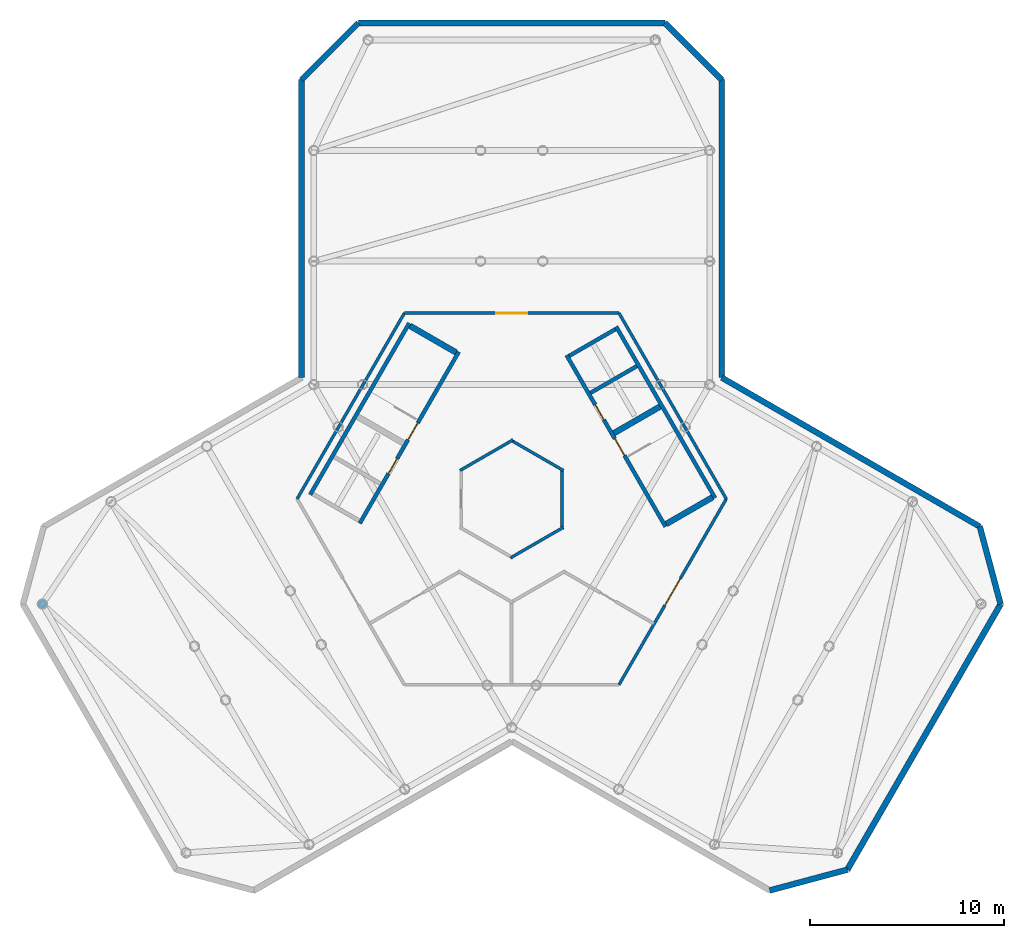
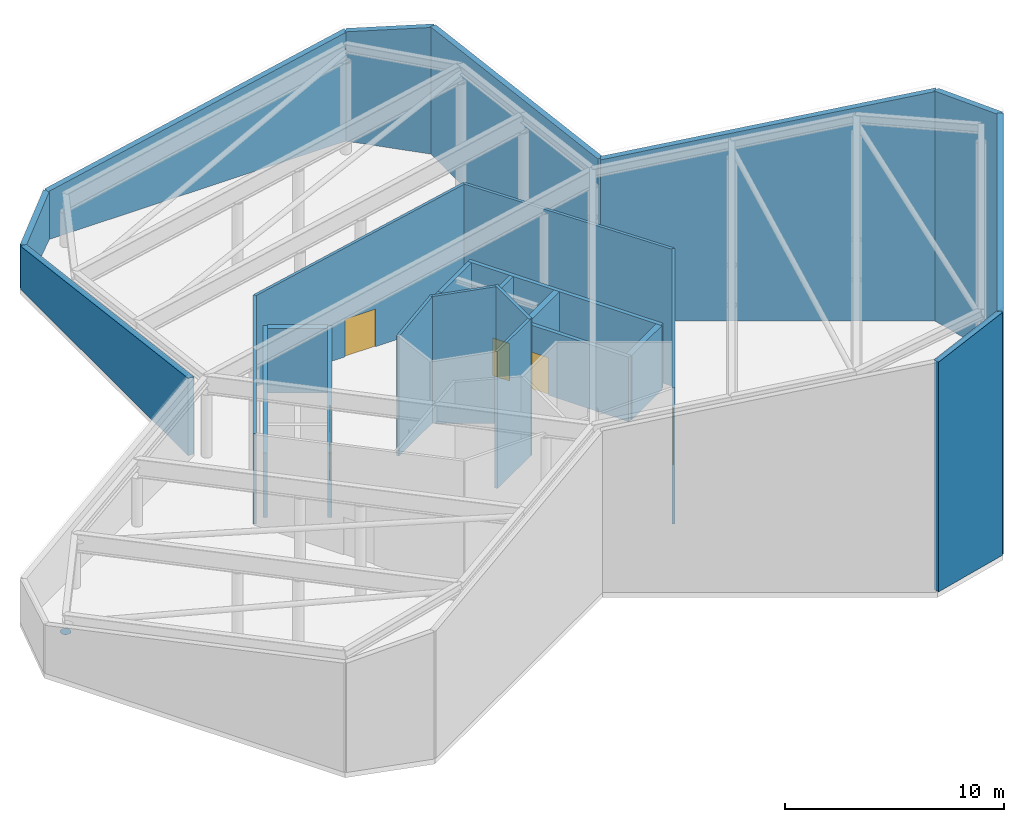
# One storey, part 3 of 5: 26 walls, 6 doors, 1 discrete accessory, 6 openings.
"""IFC4 building model written with IfcOpenShell, lengths in metres."""

from ifc_helpers import new_model, si_unit, direction, frame, frame_2d, origin, origin_2d, place, context, subcontext, project, spatial, polyline, rectangle, circle, outline, extrude, material, layer, layer_set, material_profile, profile_set, type_object, element, fill, save


model = new_model("IFC4")

# Units and contexts
model_context = context("Model", 3, precision=1e-05, world=origin(), true_north=direction((0.0, 1.0)))
body_context = subcontext(model_context, "Body", "Model", "MODEL_VIEW")
ifc_project = project(units=[si_unit("LENGTHUNIT", "METRE"), si_unit("AREAUNIT", "SQUARE_METRE"), si_unit("VOLUMEUNIT", "CUBIC_METRE"), si_unit("PLANEANGLEUNIT", "RADIAN"), si_unit("MASSUNIT", "GRAM", prefix="KILO")], contexts=[model_context])

# Site, building, storey
site_placement = place(None, origin())
site = spatial("IfcSite", under=ifc_project, at=site_placement, CompositionType="ELEMENT")
building_placement = place(site_placement, origin())
building = spatial("IfcBuilding", under=site, at=building_placement, Name="Kosmar Iwan School Tower", CompositionType="ELEMENT")
storey_placement = place(building_placement, frame((0.0, 0.0, 301.0)))
storey = spatial("IfcBuildingStorey", under=building, at=storey_placement, Name="RF", CompositionType="ELEMENT", Elevation=301.0)

# Wall
ifc_material_1 = material(Name="Gypsum board on steel studs, fire-rated", Category="steel")
ifc_layer_1 = layer(ifc_material_1, 0.14990234375)
ifc_layer_set_1 = layer_set([ifc_layer_1], Name="Core room partition 150")
wall_type_1 = type_object("IfcWallType", Name="Core room partition 150", PredefinedType="PARTITIONING", material=ifc_layer_set_1)
wall_1_placement = place(storey_placement, frame((11.05615234375, 0.0, 0.0), z_axis=(0.0, 0.0, 1.0), x_axis=(-0.49999834043, 0.866026361936, 0.0)))
element("IfcWall", 1, at=wall_1_placement, inside=storey, type_object=wall_type_1, Name="Core room partition RF-CP1", PredefinedType="PARTITIONING", context=body_context, shape_type="SweptSolid", body=[
    extrude(outline(polyline([(0.0, 0.0), (11.05615234375, 0.0), (11.05615234375, 7.443359375), (0.0, 7.64990234375), (0.0, 0.0)])), frame((0.0, 0.074951171875, 0.0), z_axis=(0.0, -1.0, 0.0), x_axis=(1.0, 0.0, 0.0)), (0.0, 0.0, 1.0), 0.14990234375),
])

# Wall, opening, door
wall_2_placement = place(storey_placement, frame((5.528076171875, 9.574951171875, 0.0), z_axis=(0.0, 0.0, 1.0), x_axis=(-1.0, 0.0, 0.0)))
wall_2 = element("IfcWall", 2, at=wall_2_placement, inside=storey, type_object=wall_type_1, Name="Core room partition RF-CP2", PredefinedType="PARTITIONING", context=body_context, shape_type="SweptSolid", body=[
    extrude(outline(polyline([(0.0, 0.0), (11.05615234375, 0.0), (11.05615234375, 5.05615234375), (0.0, 7.443359375), (0.0, 0.0)])), frame((0.0, 0.074951171875, 0.0), z_axis=(0.0, -1.0, 0.0), x_axis=(1.0, 0.0, 0.0)), (0.0, 0.0, 1.0), 0.14990234375),
])
opening_1_placement = place(wall_2_placement, frame((4.72802734375, 0.0, 0.0)))
opening_1 = element("IfcOpeningElement", 3, at=opening_1_placement, cuts=wall_2, Name="Opening D17", PredefinedType="OPENING", context=body_context, shape_type="SweptSolid", body=[
    extrude(rectangle(XDim=1.60009765625, YDim=2.10009765625, at=frame_2d((0.800048828125, 1.050048828125))), frame((0.0, 0.0869140625, 0.0), z_axis=(0.0, -1.0, 0.0), x_axis=(1.0, 0.0, 0.0)), (0.0, 0.0, 1.0), 0.173828125),
])
ifc_material_2 = material(Name="Steel fire door", Category="steel")
door_type_1 = type_object("IfcDoorType", Name="Crown plant room door pair 1600x2100", OperationType="DOUBLE_DOOR_SINGLE_SWING", PredefinedType="DOOR", material=ifc_material_2)
door_1_placement = place(opening_1_placement, origin())
door_1 = element("IfcDoor", 4, at=door_1_placement, inside=storey, type_object=door_type_1, Name="Crown plant room doors 2", OperationType="DOUBLE_DOOR_SINGLE_SWING", OverallHeight=2.10009765625, OverallWidth=1.60009765625, PredefinedType="DOOR", context=body_context, shape_type="SweptSolid", body=[
    extrude(rectangle(XDim=1.60009765625, YDim=2.10009765625, at=frame_2d((0.800048828125, 1.050048828125))), frame((0.0, 0.02490234375, 0.0), z_axis=(0.0, -1.0, 0.0), x_axis=(1.0, 0.0, 0.0)), (0.0, 0.0, 1.0), 0.050048828125),
])
fill(opening_1, door_1)

# Wall
wall_3_placement = place(storey_placement, frame((-5.528076171875, 9.574951171875, 0.0), z_axis=(0.0, 0.0, 1.0), x_axis=(-0.49999834043, -0.866026361936, 0.0)))
element("IfcWall", 5, at=wall_3_placement, inside=storey, type_object=wall_type_1, Name="Core room partition RF-CP3", PredefinedType="PARTITIONING", context=body_context, shape_type="SweptSolid", body=[
    extrude(rectangle(XDim=11.05615234375, YDim=0.14990234375, at=frame_2d((5.528076171875, 0.0))), origin(), (0.0, 0.0, 1.0), 5.05615234375),
])

# Wall, opening, door
wall_4_placement = place(storey_placement, frame((5.528076171875, -9.574951171875, 0.0), z_axis=(0.0, 0.0, 1.0), x_axis=(0.49999834043, 0.866026361936, 0.0)))
wall_4 = element("IfcWall", 6, at=wall_4_placement, inside=storey, type_object=wall_type_1, Name="Core room partition RF-CP6", PredefinedType="PARTITIONING", context=body_context, shape_type="SweptSolid", body=[
    extrude(rectangle(XDim=11.05615234375, YDim=0.14990234375, at=frame_2d((5.528076171875, 0.0))), origin(), (0.0, 0.0, 1.0), 7.64990234375),
])
opening_2_placement = place(wall_4_placement, frame((4.72802734375, 0.0, 0.0)))
opening_2 = element("IfcOpeningElement", 7, at=opening_2_placement, cuts=wall_4, Name="Opening D17", PredefinedType="OPENING", context=body_context, shape_type="SweptSolid", body=[
    extrude(rectangle(XDim=1.60009765625, YDim=2.10009765625, at=frame_2d((0.800048828125, 1.050048828125))), frame((0.0, 0.0869140625, 0.0), z_axis=(0.0, -1.0, 0.0), x_axis=(1.0, 0.0, 0.0)), (0.0, 0.0, 1.0), 0.173828125),
])
door_2_placement = place(opening_2_placement, origin())
door_2 = element("IfcDoor", 8, at=door_2_placement, inside=storey, type_object=door_type_1, Name="Crown plant room doors 6", OperationType="DOUBLE_DOOR_SINGLE_SWING", OverallHeight=2.10009765625, OverallWidth=1.60009765625, PredefinedType="DOOR", context=body_context, shape_type="SweptSolid", body=[
    extrude(rectangle(XDim=1.60009765625, YDim=2.10009765625, at=frame_2d((0.800048828125, 1.050048828125))), frame((0.0, 0.02490234375, 0.0), z_axis=(0.0, -1.0, 0.0), x_axis=(1.0, 0.0, 0.0)), (0.0, 0.0, 1.0), 0.050048828125),
])
fill(opening_2, door_2)

# Walls
wall_5_placement = place(storey_placement, frame((2.6650390625, -1.463623046875, 0.0), z_axis=(0.0, 0.0, 1.0), x_axis=(-0.866023080072, -0.500004024767, 0.0)))
element("IfcWall", 9, at=wall_5_placement, inside=storey, type_object=wall_type_1, Name="Core room partition RF-CW6", PredefinedType="PARTITIONING", context=body_context, shape_type="SweptSolid", body=[
    extrude(rectangle(XDim=3.15234375, YDim=0.14990234375, at=frame_2d((1.576171875, 0.0))), origin(), (0.0, 0.0, 1.0), 7.64990234375),
])
wall_6_placement = place(storey_placement, frame((-2.6650390625, 1.463623046875, 0.0), z_axis=(0.0, 0.0, 1.0), x_axis=(0.866023080072, 0.500004024767, 0.0)))
element("IfcWall", 10, at=wall_6_placement, inside=storey, type_object=wall_type_1, Name="Core room partition RF-CW9", PredefinedType="PARTITIONING", context=body_context, shape_type="SweptSolid", body=[
    extrude(outline(polyline([(0.0, 0.0), (3.15234375, 0.0), (3.152099609375, 7.078369140625), (0.0, 6.685546875), (0.0, 0.0)])), frame((0.0, 0.074951171875, 0.0), z_axis=(0.0, -1.0, 0.0), x_axis=(1.0, 0.0, 0.0)), (0.0, 0.0, 1.0), 0.14990234375),
])
wall_7_placement = place(storey_placement, frame((-0.06494140625, 3.039794921875, 0.0), z_axis=(0.0, 0.0, 1.0), x_axis=(0.866023080072, -0.500004024767, 0.0)))
element("IfcWall", 11, at=wall_7_placement, inside=storey, type_object=wall_type_1, Name="Core room partition RF-CW10", PredefinedType="PARTITIONING", context=body_context, shape_type="SweptSolid", body=[
    extrude(outline(polyline([(0.0, 0.0), (3.15234375, 0.0), (3.152099609375, 7.64990234375), (0.0, 7.05029296875), (0.0, 0.0)])), frame((0.0, 0.074951171875, 0.0), z_axis=(0.0, -1.0, 0.0), x_axis=(1.0, 0.0, 0.0)), (0.0, 0.0, 1.0), 0.14990234375),
])
wall_8_placement = place(storey_placement, frame((2.60009765625, 1.576171875, 0.0), z_axis=(0.0, 0.0, 1.0), x_axis=(0.0, -1.0, 0.0)))
element("IfcWall", 12, at=wall_8_placement, inside=storey, type_object=wall_type_1, Name="Core room partition RF-CW11", PredefinedType="PARTITIONING", context=body_context, shape_type="SweptSolid", body=[
    extrude(rectangle(XDim=3.15234375, YDim=0.14990234375, at=frame_2d((1.576171875, 0.0))), origin(), (0.0, 0.0, 1.0), 7.64990234375),
])
ifc_material_3 = material(Name="Black aluminium rainscreen on insulated framing", Category="aluminium")
ifc_layer_2 = layer(ifc_material_3, 0.300048828125)
ifc_layer_set_2 = layer_set([ifc_layer_2], Name="Crown wall 300")
wall_type_2 = type_object("IfcWallType", Name="Crown wall 300", PredefinedType="SOLIDWALL", material=ifc_layer_set_2)
wall_9_placement = place(storey_placement, frame((13.2919921875, -20.173828125, 0.0), z_axis=(0.0, 0.0, 1.0), x_axis=(0.965924882171, 0.258822568574, 0.0)))
element("IfcWall", 13, at=wall_9_placement, inside=storey, type_object=wall_type_2, Name="Crown wall 3", PredefinedType="SOLIDWALL", context=body_context, shape_type="SweptSolid", body=[
    extrude(outline(polyline([(0.0, 0.0), (4.13916015625, 0.0), (4.13916015625, 13.55810546875), (0.0, 12.828369140625), (0.0, 0.0)])), frame((0.0, 0.14990234375, 0.0), z_axis=(0.0, -1.0, 0.0), x_axis=(1.0, 0.0, 0.0)), (0.0, 0.0, 1.0), 0.300048828125),
])
wall_10_placement = place(storey_placement, frame((17.2900390625, -19.1025390625, 0.0), z_axis=(0.0, 0.0, 1.0), x_axis=(0.500008751707, 0.866020350925, 0.0)))
element("IfcWall", 14, at=wall_10_placement, inside=storey, type_object=wall_type_2, Name="Crown wall 4", PredefinedType="SOLIDWALL", context=body_context, shape_type="SweptSolid", body=[
    extrude(outline(polyline([(0.0, 0.0), (15.796630859375, 0.0), (15.79638671875, 13.55810546875), (0.0, 13.55810546875), (0.0, 0.0)])), frame((0.0, 0.14990234375, 0.0), z_axis=(0.0, -1.0, 0.0), x_axis=(1.0, 0.0, 0.0)), (0.0, 0.0, 1.0), 0.300048828125),
])
wall_11_placement = place(storey_placement, frame((25.1884765625, -5.42236328125, 0.0), z_axis=(0.0, 0.0, 1.0), x_axis=(-0.258822568574, 0.965924882171, 0.0)))
element("IfcWall", 15, at=wall_11_placement, inside=storey, type_object=wall_type_2, Name="Crown wall 5", PredefinedType="SOLIDWALL", context=body_context, shape_type="SweptSolid", body=[
    extrude(outline(polyline([(0.0, 0.0), (4.13916015625, 0.0), (4.13916015625, 12.828369140625), (0.0, 13.55810546875), (0.0, 0.0)])), frame((0.0, 0.14990234375, 0.0), z_axis=(0.0, -1.0, 0.0), x_axis=(1.0, 0.0, 0.0)), (0.0, 0.0, 1.0), 0.300048828125),
])
wall_12_placement = place(storey_placement, frame((24.1171875, -1.42431640625, 0.0), z_axis=(0.0, 0.0, 1.0), x_axis=(-0.866031157779, 0.499990033657, 0.0)))
element("IfcWall", 16, at=wall_12_placement, inside=storey, type_object=wall_type_2, Name="Crown wall 6", PredefinedType="SOLIDWALL", context=body_context, shape_type="SweptSolid", body=[
    extrude(outline(polyline([(0.0, 0.0), (15.348388671875, 0.0), (15.348388671875, 9.001708984375), (0.0, 12.828369140625), (0.0, 0.0)])), frame((0.0, 0.14990234375, 0.0), z_axis=(0.0, -1.0, 0.0), x_axis=(1.0, 0.0, 0.0)), (0.0, 0.0, 1.0), 0.300048828125),
])
wall_13_placement = place(storey_placement, frame((10.824951171875, 6.249755859375, 0.0), z_axis=(0.0, 0.0, 1.0), x_axis=(0.0, 1.0, 0.0)))
element("IfcWall", 17, at=wall_13_placement, inside=storey, type_object=wall_type_2, Name="Crown wall 7", PredefinedType="SOLIDWALL", context=body_context, shape_type="SweptSolid", body=[
    extrude(outline(polyline([(0.0, 0.0), (15.348388671875, 0.0), (15.348388671875, 7.088134765625), (0.0, 9.001708984375), (0.0, 0.0)])), frame((0.0, 0.14990234375, 0.0), z_axis=(0.0, -1.0, 0.0), x_axis=(1.0, 0.0, 0.0)), (0.0, 0.0, 1.0), 0.300048828125),
])
wall_14_placement = place(storey_placement, frame((10.824951171875, 21.59814453125, 0.0), z_axis=(0.0, 0.0, 1.0), x_axis=(-0.707106781187, 0.707106781187, 0.0)))
element("IfcWall", 18, at=wall_14_placement, inside=storey, type_object=wall_type_2, Name="Crown wall 8", PredefinedType="SOLIDWALL", context=body_context, shape_type="SweptSolid", body=[
    extrude(outline(polyline([(0.0, 0.0), (4.13916015625, 0.0), (4.13916015625, 6.09130859375), (0.0, 7.088134765625), (0.0, 0.0)])), frame((0.0, 0.14990234375, 0.0), z_axis=(0.0, -1.0, 0.0), x_axis=(1.0, 0.0, 0.0)), (0.0, 0.0, 1.0), 0.300048828125),
])
wall_15_placement = place(storey_placement, frame((7.898193359375, 24.52490234375, 0.0), z_axis=(0.0, 0.0, 1.0), x_axis=(-1.0, 0.0, 0.0)))
element("IfcWall", 19, at=wall_15_placement, inside=storey, type_object=wall_type_2, Name="Crown wall 9", PredefinedType="SOLIDWALL", context=body_context, shape_type="SweptSolid", body=[
    extrude(outline(polyline([(0.0, 0.0), (15.79638671875, 0.0), (15.79638671875, 2.6806640625), (0.0, 6.09130859375), (0.0, 0.0)])), frame((0.0, 0.14990234375, 0.0), z_axis=(0.0, -1.0, 0.0), x_axis=(1.0, 0.0, 0.0)), (0.0, 0.0, 1.0), 0.300048828125),
])
wall_16_placement = place(storey_placement, frame((-7.898193359375, 24.52490234375, 0.0), z_axis=(0.0, 0.0, 1.0), x_axis=(-0.707106781187, -0.707106781187, 0.0)))
element("IfcWall", 20, at=wall_16_placement, inside=storey, type_object=wall_type_2, Name="Crown wall 10", PredefinedType="SOLIDWALL", context=body_context, shape_type="SweptSolid", body=[
    extrude(outline(polyline([(0.0, 0.0), (4.13916015625, 0.0), (4.13916015625, 2.413330078125), (0.0, 2.6806640625), (0.0, 0.0)])), frame((0.0, 0.14990234375, 0.0), z_axis=(0.0, -1.0, 0.0), x_axis=(1.0, 0.0, 0.0)), (0.0, 0.0, 1.0), 0.300048828125),
])
wall_17_placement = place(storey_placement, frame((-10.824951171875, 21.59814453125, 0.0), z_axis=(0.0, 0.0, 1.0), x_axis=(0.0, -1.0, 0.0)))
element("IfcWall", 21, at=wall_17_placement, inside=storey, type_object=wall_type_2, Name="Crown wall 11", PredefinedType="SOLIDWALL", context=body_context, shape_type="SweptSolid", body=[
    extrude(outline(polyline([(0.0, 0.0), (15.348388671875, 0.0), (15.348388671875, 4.326904296875), (0.0, 2.413330078125), (0.0, 0.0)])), frame((0.0, 0.14990234375, 0.0), z_axis=(0.0, -1.0, 0.0), x_axis=(1.0, 0.0, 0.0)), (0.0, 0.0, 1.0), 0.300048828125),
])

# Wall, openings, doors
ifc_material_4 = material(Name="Concrete C50/60", Category="concrete")
ifc_layer_3 = layer(ifc_material_4, 0.199951171875)
ifc_layer_set_3 = layer_set([ifc_layer_3], Name="Lift shaft wall 200")
wall_type_3 = type_object("IfcWallType", Name="Lift shaft wall 200", PredefinedType="SHEAR", material=ifc_layer_set_3)
wall_18_placement = place(storey_placement, frame((-2.72607421875, 7.578369140625, 0.0), z_axis=(0.0, 0.0, 1.0), x_axis=(-0.500005610874, -0.86602216432, 0.0)))
wall_18 = element("IfcWall", 22, at=wall_18_placement, inside=storey, type_object=wall_type_3, Name="Lift and stair front wall AB", PredefinedType="SHEAR", context=body_context, shape_type="SweptSolid", body=[
    extrude(rectangle(XDim=10.2001953125, YDim=0.199951171875, at=frame_2d((5.10009765625, 0.0))), origin(), (0.0, 0.0, 1.0), 3.60009765625),
])
opening_3_placement = place(wall_18_placement, frame((6.35009765625, 0.0, 0.0)))
opening_3 = element("IfcOpeningElement", 23, at=opening_3_placement, cuts=wall_18, Name="Opening LD2", PredefinedType="OPENING", context=body_context, shape_type="SweptSolid", body=[
    extrude(rectangle(XDim=0.89990234375, YDim=2.10009765625, at=frame_2d((0.449951171875, 1.050048828125))), frame((0.0, 0.112060546875, 0.0), z_axis=(0.0, -1.0, 0.0), x_axis=(1.0, 0.0, 0.0)), (0.0, 0.0, 1.0), 0.223876953125),
])
opening_4_placement = place(wall_18_placement, frame((4.22998046875, 0.0, 0.0)))
opening_4 = element("IfcOpeningElement", 24, at=opening_4_placement, cuts=wall_18, Name="Opening D6", PredefinedType="OPENING", context=body_context, shape_type="SweptSolid", body=[
    extrude(rectangle(XDim=1.0, YDim=2.10009765625, at=frame_2d((0.5, 1.050048828125))), frame((0.0, 0.112060546875, 0.0), z_axis=(0.0, -1.0, 0.0), x_axis=(1.0, 0.0, 0.0)), (0.0, 0.0, 1.0), 0.223876953125),
])
ifc_material_5 = material(Name="Stainless steel sliding lift door", Category="steel")
door_type_2 = type_object("IfcDoorType", Name="Firefighting lift landing door 900x2100", OperationType="SLIDING_TO_LEFT", PredefinedType="DOOR", material=ifc_material_5)
door_3_placement = place(opening_3_placement, origin())
door_3 = element("IfcDoor", 25, at=door_3_placement, inside=storey, type_object=door_type_2, Name="Lift FF2 landing door RF", OperationType="SLIDING_TO_LEFT", OverallHeight=2.10009765625, OverallWidth=0.89990234375, PredefinedType="DOOR", context=body_context, shape_type="SweptSolid", body=[
    extrude(rectangle(XDim=0.89990234375, YDim=2.10009765625, at=frame_2d((0.449951171875, 1.050048828125))), frame((0.0, 0.02490234375, 0.0), z_axis=(0.0, -1.0, 0.0), x_axis=(1.0, 0.0, 0.0)), (0.0, 0.0, 1.0), 0.050048828125),
])
fill(opening_3, door_3)
ifc_material_6 = material(Name="Steel fire door", Category="steel")
door_type_3 = type_object("IfcDoorType", Name="Stair door 1000x2100", OperationType="SINGLE_SWING_LEFT", PredefinedType="DOOR", material=ifc_material_6)
door_4_placement = place(opening_4_placement, origin())
door_4 = element("IfcDoor", 26, at=door_4_placement, inside=storey, type_object=door_type_3, Name="Stair ST2 door RF", OperationType="SINGLE_SWING_LEFT", OverallHeight=2.10009765625, OverallWidth=1.0, PredefinedType="DOOR", context=body_context, shape_type="SweptSolid", body=[
    extrude(rectangle(XDim=1.0, YDim=2.10009765625, at=frame_2d((0.5, 1.050048828125))), frame((0.0, 0.02490234375, 0.0), z_axis=(0.0, -1.0, 0.0), x_axis=(1.0, 0.0, 0.0)), (0.0, 0.0, 1.0), 0.050048828125),
])
fill(opening_4, door_4)

# Wall
wall_19_placement = place(storey_placement, frame((-5.28076171875, 9.05322265625, 0.0), z_axis=(0.0, 0.0, 1.0), x_axis=(-0.500015975362, -0.866016180209, 0.0)))
element("IfcWall", 27, at=wall_19_placement, inside=storey, type_object=wall_type_3, Name="Lift and stair back wall AB", PredefinedType="SHEAR", context=body_context, shape_type="SweptSolid", body=[
    extrude(rectangle(XDim=10.199951171875, YDim=0.199951171875, at=frame_2d((5.10009765625, 0.0))), origin(), (0.0, 0.0, 1.0), 3.60009765625),
])

# Wall, openings, doors
wall_20_placement = place(storey_placement, frame((7.926025390625, -1.42822265625, 0.0), z_axis=(0.0, 0.0, 1.0), x_axis=(-0.499998023675, 0.866026544813, 0.0)))
wall_20 = element("IfcWall", 28, at=wall_20_placement, inside=storey, type_object=wall_type_3, Name="Lift and stair front wall AC", PredefinedType="SHEAR", context=body_context, shape_type="SweptSolid", body=[
    extrude(rectangle(XDim=10.19970703125, YDim=0.199951171875, at=frame_2d((5.099853515625, 0.0))), origin(), (0.0, 0.0, 1.0), 3.60009765625),
])
opening_5_placement = place(wall_20_placement, frame((6.35009765625, 0.0, 0.0)))
opening_5 = element("IfcOpeningElement", 29, at=opening_5_placement, cuts=wall_20, Name="Opening LD2", PredefinedType="OPENING", context=body_context, shape_type="SweptSolid", body=[
    extrude(rectangle(XDim=0.89990234375, YDim=2.10009765625, at=frame_2d((0.449951171875, 1.050048828125))), frame((0.0, 0.112060546875, 0.0), z_axis=(0.0, -1.0, 0.0), x_axis=(1.0, 0.0, 0.0)), (0.0, 0.0, 1.0), 0.223876953125),
])
opening_6_placement = place(wall_20_placement, frame((4.22998046875, 0.0, 0.0)))
opening_6 = element("IfcOpeningElement", 30, at=opening_6_placement, cuts=wall_20, Name="Opening D6", PredefinedType="OPENING", context=body_context, shape_type="SweptSolid", body=[
    extrude(rectangle(XDim=1.0, YDim=2.10009765625, at=frame_2d((0.5, 1.050048828125))), frame((0.0, 0.112060546875, 0.0), z_axis=(0.0, -1.0, 0.0), x_axis=(1.0, 0.0, 0.0)), (0.0, 0.0, 1.0), 0.223876953125),
])
door_5_placement = place(opening_5_placement, origin())
door_5 = element("IfcDoor", 31, at=door_5_placement, inside=storey, type_object=door_type_2, Name="Lift FF1 landing door RF", OperationType="SLIDING_TO_LEFT", OverallHeight=2.10009765625, OverallWidth=0.89990234375, PredefinedType="DOOR", context=body_context, shape_type="SweptSolid", body=[
    extrude(rectangle(XDim=0.89990234375, YDim=2.10009765625, at=frame_2d((0.449951171875, 1.050048828125))), frame((0.0, 0.02490234375, 0.0), z_axis=(0.0, -1.0, 0.0), x_axis=(1.0, 0.0, 0.0)), (0.0, 0.0, 1.0), 0.050048828125),
])
fill(opening_5, door_5)
door_6_placement = place(opening_6_placement, origin())
door_6 = element("IfcDoor", 32, at=door_6_placement, inside=storey, type_object=door_type_3, Name="Stair ST1 door RF", OperationType="SINGLE_SWING_LEFT", OverallHeight=2.10009765625, OverallWidth=1.0, PredefinedType="DOOR", context=body_context, shape_type="SweptSolid", body=[
    extrude(rectangle(XDim=1.0, YDim=2.10009765625, at=frame_2d((0.5, 1.050048828125))), frame((0.0, 0.02490234375, 0.0), z_axis=(0.0, -1.0, 0.0), x_axis=(1.0, 0.0, 0.0)), (0.0, 0.0, 1.0), 0.050048828125),
])
fill(opening_6, door_6)

# Walls
wall_21_placement = place(storey_placement, frame((10.48095703125, 0.046630859375, 0.0), z_axis=(0.0, 0.0, 1.0), x_axis=(-0.500005610874, 0.86602216432, 0.0)))
element("IfcWall", 33, at=wall_21_placement, inside=storey, type_object=wall_type_3, Name="Lift and stair back wall AC", PredefinedType="SHEAR", context=body_context, shape_type="SweptSolid", body=[
    extrude(rectangle(XDim=10.2001953125, YDim=0.199951171875, at=frame_2d((5.10009765625, 0.0))), origin(), (0.0, 0.0, 1.0), 3.60009765625),
])
for number, where, z_axis, x_axis, name in (
    (34, (4.062744140625, 5.46337890625, 0.0), (0.0, 0.0, 1.0), (0.866027397988, 0.499996545922, 0.0), "Lift shaft wall AC 1"),
    (35, (2.962646484375, 7.368408203125, 0.0), (0.0, 0.0, 1.0), (0.866027397988, 0.499996545922, 0.0), "Lift shaft wall AC 2"),
):
    element("IfcWall", number, at=place(storey_placement, frame(where, z_axis=z_axis, x_axis=x_axis)), inside=storey, type_object=wall_type_3, Name=name, PredefinedType="SHEAR", context=body_context, shape_type="SweptSolid", body=[
        extrude(rectangle(XDim=2.75, YDim=0.199951171875, at=frame_2d((1.375, 0.0))), origin(), (0.0, 0.0, 1.0), 3.60009765625),
    ])
ifc_material_7 = material(Name="Concrete C50/60", Category="concrete")
ifc_layer_4 = layer(ifc_material_7, 0.300048828125)
ifc_layer_set_4 = layer_set([ifc_layer_4], Name="Stair head-house wall 300")
wall_type_4 = type_object("IfcWallType", Name="Stair head-house wall 300", PredefinedType="SHEAR", material=ifc_layer_set_4)
for number, where, z_axis, x_axis, name in (
    (36, (-2.862548828125, 7.541748046875, 0.0), (0.0, 0.0, 1.0), (-0.866027397988, 0.499996545922, 0.0), "Stair ST2 wall"),
    (37, (7.962646484375, -1.291748046875, 0.0), (0.0, 0.0, 1.0), (0.866027397988, 0.499996545922, 0.0), "Stair ST1 wall"),
    (38, (5.2626953125, 3.384765625, 0.0), (0.0, 0.0, 1.0), (0.866027397988, 0.499996545922, 0.0), "Stair ST1 wall"),
):
    element("IfcWall", number, at=place(storey_placement, frame(where, z_axis=z_axis, x_axis=x_axis)), inside=storey, type_object=wall_type_4, Name=name, PredefinedType="SHEAR", context=body_context, shape_type="SweptSolid", body=[
        extrude(rectangle(XDim=2.75, YDim=0.300048828125, at=frame_2d((1.375, 0.0))), origin(), (0.0, 0.0, 1.0), 3.60009765625),
    ])

# Discrete accessory
ifc_material_8 = material(Name="Steel S355", Category="steel")
ifc_material_profile = material_profile(ifc_material_8, circle(Radius=0.25390625, at=origin_2d()), Name="PL 508 DIA")
ifc_profile_set = profile_set([ifc_material_profile], Name="Steel S355")
discrete_accessory_type = type_object("IfcDiscreteAccessoryType", Name="Crown column cap plate", PredefinedType="USERDEFINED", material=ifc_profile_set)
discrete_accessory_placement = place(storey_placement, frame((-24.181396484375, -5.41650390625, 1.883056640625), z_axis=(0.0, 0.0, 1.0), x_axis=(1.0, 0.0, 0.0)))
element("IfcDiscreteAccessory", 39, at=discrete_accessory_placement, inside=storey, type_object=discrete_accessory_type, Name="Crown column cap plate BRTIP", ObjectType="TUBE END CAP PLATE", PredefinedType="USERDEFINED", context=body_context, shape_type="SweptSolid", body=[
    extrude(circle(Radius=0.25390625, at=origin_2d()), origin(), (0.0, 0.0, 1.0), 0.008056640625),
])

save(model, "model.ifc")
